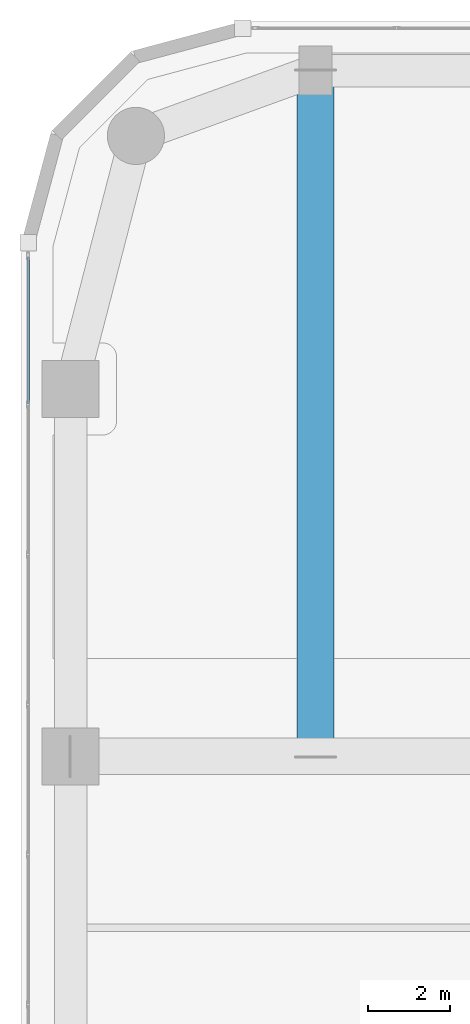
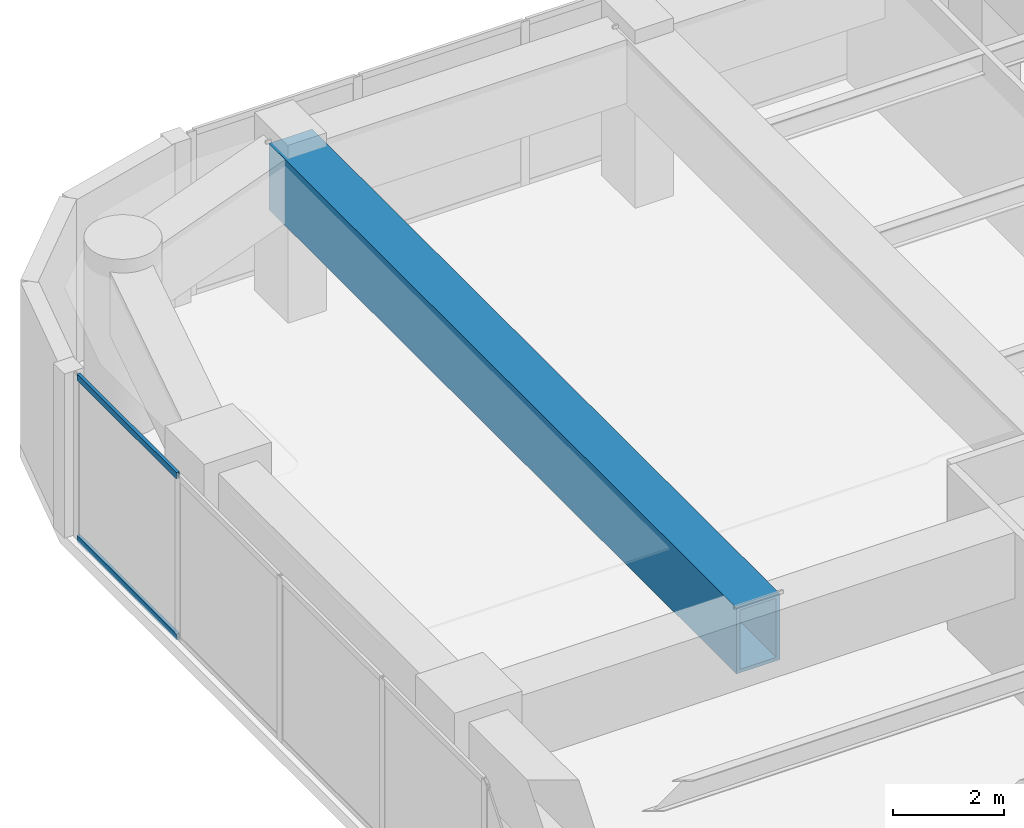
# One storey, part 10 of 25: 2 members, 1 beam, 1 element without a shape of its own.
"""IFC4 building model written with IfcOpenShell, lengths in metres."""

from ifc_helpers import new_model, si_unit, direction, frame, origin, origin_2d, place, context, subcontext, project, spatial, hollow_rectangle, extrude, material, layer, layer_set, material_profile, profile_set, type_object, element, aggregate, save


model = new_model("IFC4")

# Units and contexts
model_context = context("Model", 3, precision=1e-05, world=origin(), true_north=direction((0.0, 1.0)))
body_context = subcontext(model_context, "Body", "Model", "MODEL_VIEW")
ifc_project = project(units=[si_unit("LENGTHUNIT", "METRE"), si_unit("AREAUNIT", "SQUARE_METRE"), si_unit("VOLUMEUNIT", "CUBIC_METRE"), si_unit("PLANEANGLEUNIT", "RADIAN"), si_unit("MASSUNIT", "GRAM", prefix="KILO")], contexts=[model_context])

# Site, building, storey
site_placement = place(None, origin())
site = spatial("IfcSite", under=ifc_project, at=site_placement, CompositionType="ELEMENT")
building_placement = place(site_placement, origin())
building = spatial("IfcBuilding", under=site, at=building_placement, Name="Kiyonajd Concourse Tower", CompositionType="ELEMENT")
storey_placement = place(building_placement, frame((0.0, 0.0, 141.60009765625)))
storey = spatial("IfcBuildingStorey", under=building, at=storey_placement, Name="L36", CompositionType="ELEMENT", Elevation=141.60009765625)

# Beam
ifc_material_1 = material(Name="Steel ASTM A572 Grade 50", Category="steel")
ifc_material_profile_1 = material_profile(ifc_material_1, hollow_rectangle(XDim=0.89990234375, YDim=1.449951171875, WallThickness=0.074951171875, at=origin_2d()), Name="BOX-1450x900x75")
ifc_profile_set_1 = profile_set([ifc_material_profile_1], Name="Steel ASTM A572 Grade 50")
beam_type = type_object("IfcBeamType", Name="BM-XFER-1800", PredefinedType="BEAM", material=ifc_profile_set_1)
beam_placement = place(storey_placement, frame((25.199951171875, 44.39990234375, 2.875), z_axis=(0.0, 1.0, 0.0), x_axis=(-1.0, 0.0, 0.0)))
element("IfcBeam", 1, at=beam_placement, inside=storey, type_object=beam_type, Name="L36 North Lease Girder", PredefinedType="BEAM", context=body_context, shape_type="SweptSolid", body=[
    extrude(hollow_rectangle(XDim=0.89990234375, YDim=1.449951171875, WallThickness=0.074951171875, at=origin_2d()), origin(), (0.0, 0.0, 1.0), 16.800048828125),
])

# Curtain wall, members
ifc_material_2 = material(Name="Thermally Broken Anodised Aluminium", Category="aluminium")
ifc_layer = layer(ifc_material_2, 0.179931640625)
ifc_layer_set = layer_set([ifc_layer], Name="Thermally Broken Anodised Aluminium")
curtain_wall_type = type_object("IfcCurtainWallType", Name="CW-SYS-03", PredefinedType="NOTDEFINED", material=ifc_layer_set)
curtain_wall_placement = place(storey_placement, origin())
curtain_wall = element("IfcCurtainWall", 2, at=curtain_wall_placement, inside=storey, type_object=curtain_wall_type, Name="L36 Unitised Curtain Wall CW3", PredefinedType="NOTDEFINED")
ifc_material_profile_2 = material_profile(ifc_material_2, hollow_rectangle(XDim=0.06494140625, YDim=0.139892578125, WallThickness=0.00390625, at=origin_2d()), Name="TRAN-65x140")
ifc_profile_set_2 = profile_set([ifc_material_profile_2], Name="Thermally Broken Anodised Aluminium")
member_type = type_object("IfcMemberType", Name="MB-CW-TRAN1", PredefinedType="USERDEFINED", material=ifc_profile_set_2)
member_1_placement = place(storey_placement, frame((18.159912109375, 53.04833984375, 0.032470703125), z_axis=(0.0, 1.0, 0.0), x_axis=(-1.0, 0.0, 0.0)))
member_1 = element("IfcMember", 3, at=member_1_placement, type_object=member_type, Name="CW3 transom 6.1", ObjectType="TRANSOM", PredefinedType="USERDEFINED", context=body_context, shape_type="SweptSolid", body=[
    extrude(hollow_rectangle(XDim=0.06494140625, YDim=0.139892578125, WallThickness=0.00390625, at=origin_2d()), origin(), (0.0, 0.0, 1.0), 3.575439453125),
])
member_2_placement = place(storey_placement, frame((18.159912109375, 53.04833984375, 3.5673828125), z_axis=(0.0, 1.0, 0.0), x_axis=(-1.0, 0.0, 0.0)))
member_2 = element("IfcMember", 4, at=member_2_placement, type_object=member_type, Name="CW3 transom 6.2", ObjectType="TRANSOM", PredefinedType="USERDEFINED", context=body_context, shape_type="SweptSolid", body=[
    extrude(hollow_rectangle(XDim=0.06494140625, YDim=0.139892578125, WallThickness=0.00390625, at=origin_2d()), origin(), (0.0, 0.0, 1.0), 3.575439453125),
])
aggregate(curtain_wall, [member_1, member_2])

save(model, "model.ifc")
